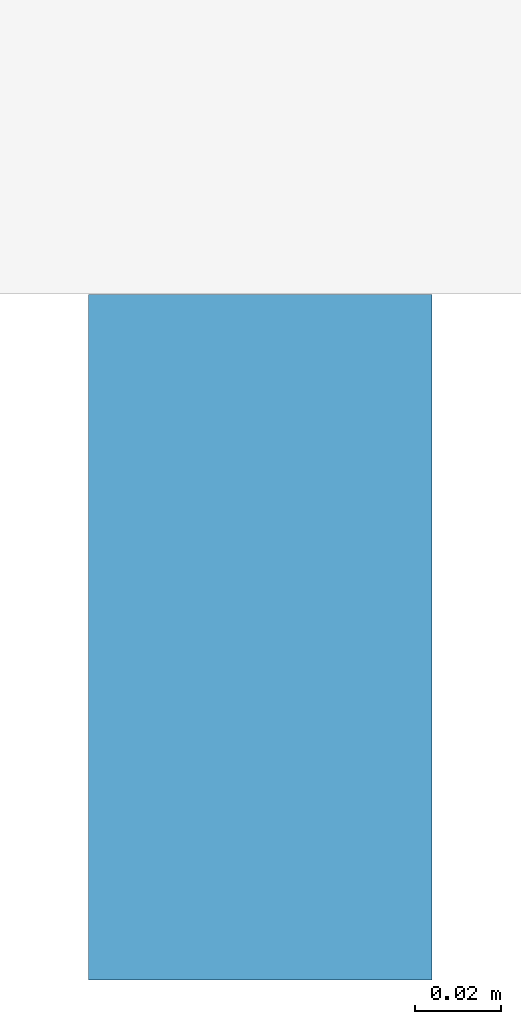
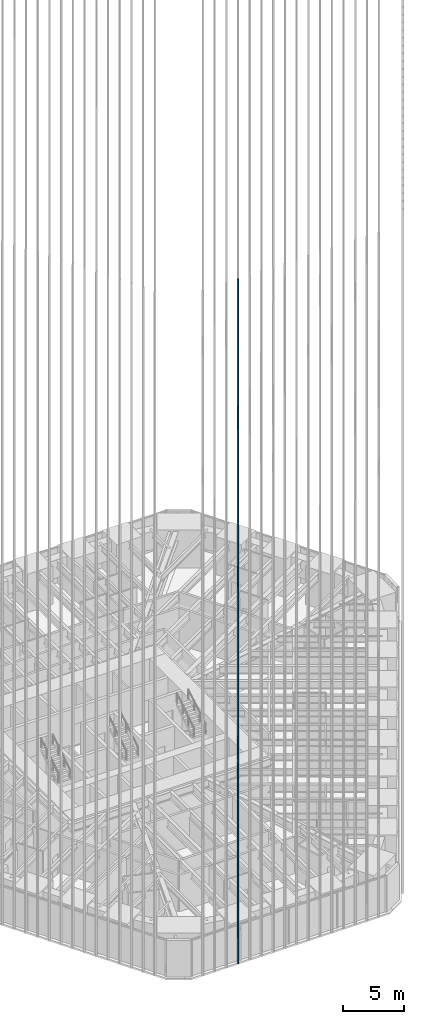
# One storey, part 31 of 256: 1 member, 1 element without a shape of its own.
"""IFC4 building model written with IfcOpenShell, lengths in metres."""

from ifc_helpers import new_model, si_unit, direction, frame, origin, origin_2d, place, context, subcontext, project, spatial, rectangle, extrude, material, material_profile, profile_set, type_object, element, aggregate, save


model = new_model("IFC4")

# Units and contexts
model_context = context("Model", 3, precision=1e-05, world=origin(), true_north=direction((0.0, 1.0)))
body_context = subcontext(model_context, "Body", "Model", "MODEL_VIEW")
ifc_project = project(units=[si_unit("LENGTHUNIT", "METRE"), si_unit("AREAUNIT", "SQUARE_METRE"), si_unit("VOLUMEUNIT", "CUBIC_METRE"), si_unit("PLANEANGLEUNIT", "RADIAN"), si_unit("MASSUNIT", "GRAM", prefix="KILO")], contexts=[model_context])

# Site, building, storey
site_placement = place(None, origin())
site = spatial("IfcSite", under=ifc_project, at=site_placement, CompositionType="ELEMENT")
building_placement = place(site_placement, origin())
building = spatial("IfcBuilding", under=site, at=building_placement, Name="Sandreach Pilgrim Tower", CompositionType="ELEMENT")
storey_placement = place(building_placement, frame((0.0, 0.0, 23.0)))
storey = spatial("IfcBuildingStorey", under=building, at=storey_placement, Name="L04", CompositionType="ELEMENT", Elevation=23.0)

# Curtain wall, member
ifc_material_1 = material(Name="Aluminium framed curtain wall", Category="aluminium")
curtain_wall_type = type_object("IfcCurtainWallType", Name="Hostel tower curtain wall", PredefinedType="NOTDEFINED", material=ifc_material_1)
curtain_wall_placement = place(storey_placement, origin())
curtain_wall = element("IfcCurtainWall", 1, at=curtain_wall_placement, inside=storey, type_object=curtain_wall_type, Name="CW-1 L04 S", PredefinedType="NOTDEFINED")
ifc_material_2 = material(Name="Extruded terracotta on aluminium core", Category="masonry")
ifc_material_profile = material_profile(ifc_material_2, rectangle(XDim=0.080078125, YDim=0.159912109375, at=origin_2d()), Name="TBS 80X160")
ifc_profile_set = profile_set([ifc_material_profile], Name="Extruded terracotta on aluminium core")
member_type = type_object("IfcMemberType", Name="Terracotta baguette south", PredefinedType="USERDEFINED", material=ifc_profile_set)
member_placement = place(storey_placement, frame((-4.971923828125, -30.390869140625, 0.0), z_axis=(0.0, 0.0, 1.0), x_axis=(-1.0, 0.0, 0.0)))
member = element("IfcMember", 2, at=member_placement, type_object=member_type, Name="Baguette Z1 S13", ObjectType="BAGUETTE", PredefinedType="USERDEFINED", context=body_context, shape_type="SweptSolid", body=[
    extrude(rectangle(XDim=0.080078125, YDim=0.159912109375, at=origin_2d()), origin(), (0.0, 0.0, 1.0), 68.239990234375),
])
aggregate(curtain_wall, [member])

save(model, "model.ifc")
